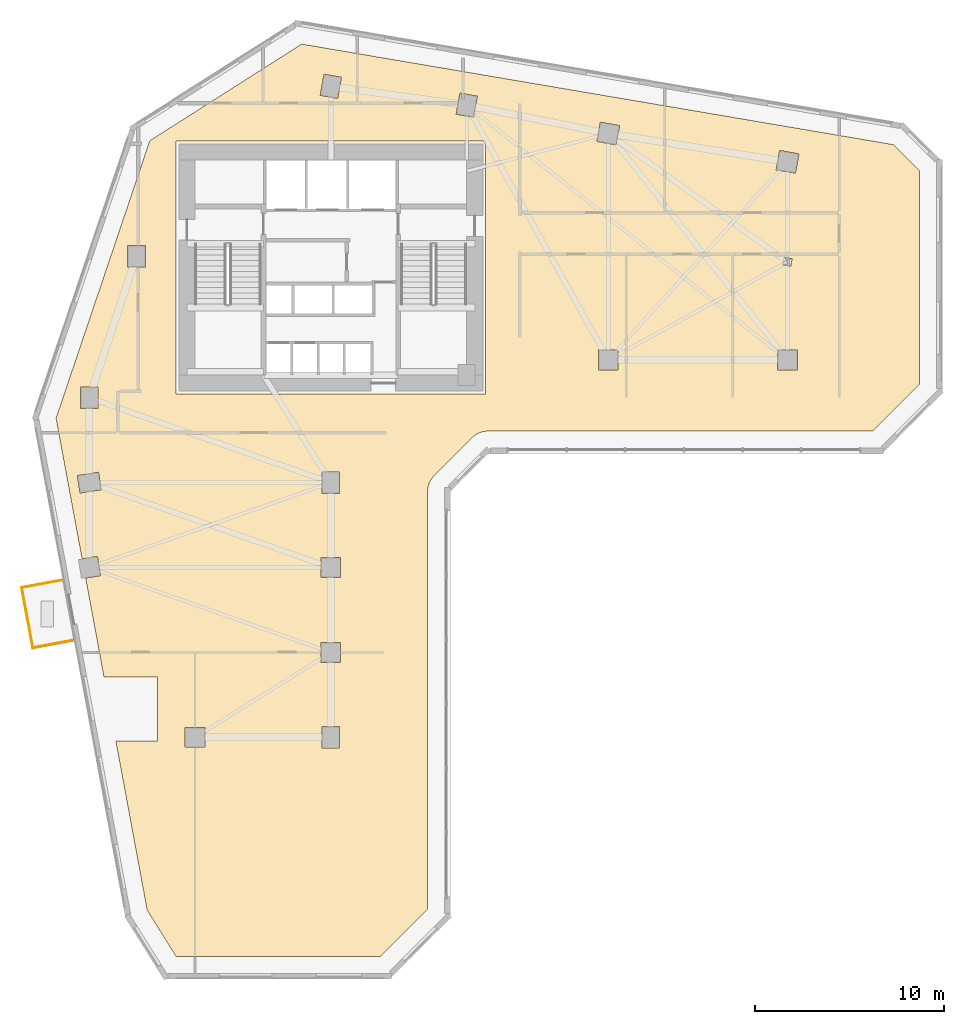
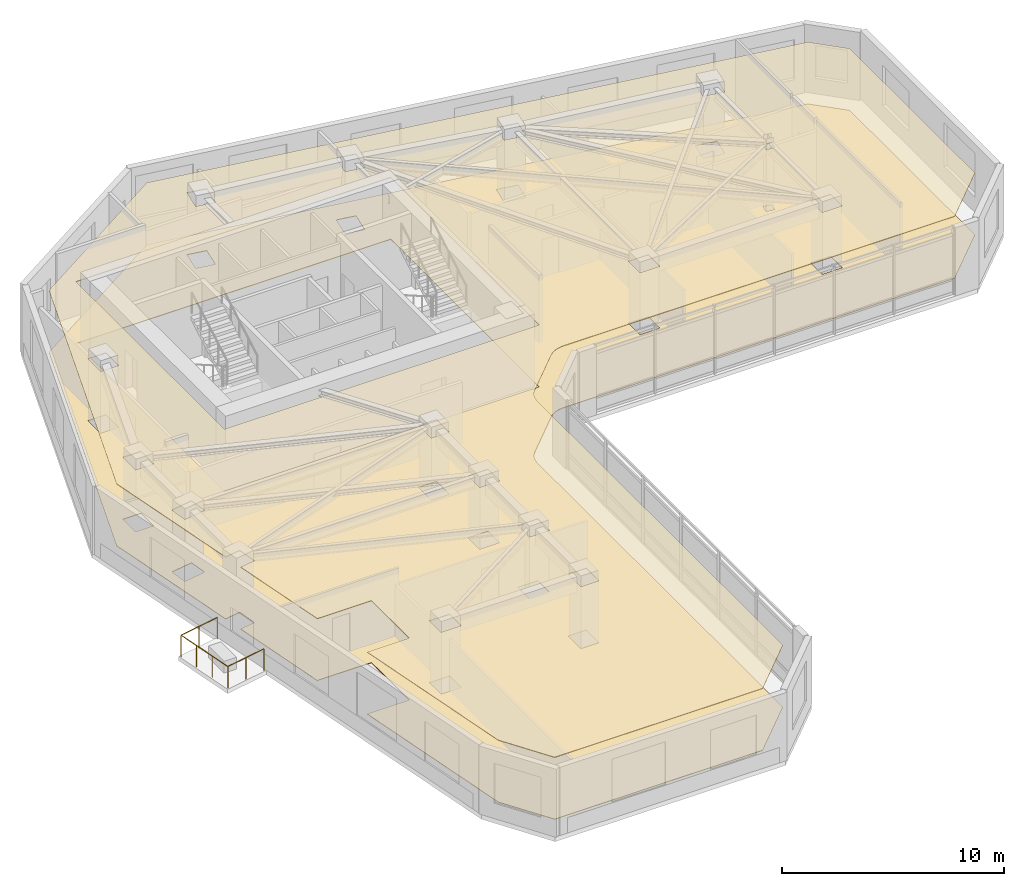
# One storey, part 8 of 9: 3 railings, 2 coverings.
"""IFC4 building model written with IfcOpenShell, lengths in metres."""

import ifcopenshell
import ifcopenshell.guid

model = None  # the IFC model being written
_history = None  # IfcOwnerHistory: only IFC2X3 demands one
_inside = {}  # id of a spatial element -> (the spatial element, [elements in it])
_under = {}  # id of a project, library or spatial element -> (it, [spatial elements below it])
_declared = {}  # id of a project -> (the project, [libraries it declares])
_typed = {}  # id of a type object -> (the type object, [elements of that type])
_made_of = {}  # id of a material, layer set ... -> (it, [elements and type objects made of it])


def new_model(schema):
    """Start an empty IFC model of exactly this schema.

    Asked for "IFC4X3", IfcOpenShell would pick the latest addendum, in which some entities
    have other attributes; the version numbers below select the first issue.
    IFC2X3 requires an IfcOwnerHistory on every rooted entity: one is made here for all.
    """
    global model, _history
    if schema == "IFC4X3":
        model = ifcopenshell.file(schema_version=(4, 3, 0, 0))
    else:
        model = ifcopenshell.file(schema=schema)
    _inside.clear()
    _under.clear()
    _declared.clear()
    _typed.clear()
    _made_of.clear()
    _history = None
    if model.schema == "IFC2X3":
        org = make("IfcOrganization", Name="unknown")
        user = make(
            "IfcPersonAndOrganization",
            ThePerson=make("IfcPerson", FamilyName="unknown"),
            TheOrganization=org,
        )
        app = make(
            "IfcApplication",
            ApplicationDeveloper=org,
            Version="unknown",
            ApplicationFullName="unknown",
            ApplicationIdentifier="unknown",
        )
        _history = make(
            "IfcOwnerHistory",
            OwningUser=user,
            OwningApplication=app,
            ChangeAction="ADDED",
            CreationDate=0,
        )
    return model


def make(cls, **values):
    """One entity of the class cls with the attributes given. An attribute that is None is left unset."""
    return model.create_entity(
        cls, **{name: value for name, value in values.items() if value is not None}
    )


def rooted(cls, **values):
    """An entity with a GlobalId (a new one), such as an element, a storey or a relation."""
    return make(cls, GlobalId=ifcopenshell.guid.new(), OwnerHistory=_history, **values)


def si_unit(unit_type, name, prefix=None):
    """IfcSIUnit, for example si_unit("LENGTHUNIT", "METRE", prefix="MILLI")."""
    return make("IfcSIUnit", UnitType=unit_type, Prefix=prefix, Name=name)


def assignment(units):
    """IfcUnitAssignment: the units of a project."""
    return None if units is None else make("IfcUnitAssignment", Units=units)


def point(xyz):
    """IfcCartesianPoint."""
    return None if xyz is None else make("IfcCartesianPoint", Coordinates=xyz)


def direction(xyz):
    """IfcDirection."""
    return None if xyz is None else make("IfcDirection", DirectionRatios=xyz)


def frame(location, z_axis=None, x_axis=None):
    """IfcAxis2Placement3D, a coordinate frame: its origin and axes. An axis left out is left unset."""
    return make(
        "IfcAxis2Placement3D",
        Location=point(location),
        Axis=direction(z_axis),
        RefDirection=direction(x_axis),
    )


def frame_2d(location, x_axis=None):
    """IfcAxis2Placement2D, a coordinate frame in the plane: its origin and x axis."""
    return make(
        "IfcAxis2Placement2D", Location=point(location), RefDirection=direction(x_axis)
    )


def origin():
    """The frame at (0, 0, 0) with its axes left unset."""
    return frame((0.0, 0.0, 0.0))


def origin_2d():
    """The frame at (0, 0) in the plane with its x axis left unset."""
    return frame_2d((0.0, 0.0))


def place(relative_to, where):
    """IfcLocalPlacement: puts the frame where relative to a parent placement (None: the world)."""
    return make(
        "IfcLocalPlacement", PlacementRelTo=relative_to, RelativePlacement=where
    )


def context(
    kind, dimensions, precision=None, world=None, true_north=None, identifier=None
):
    """IfcGeometricRepresentationContext, for example the 3D "Model" context."""
    return make(
        "IfcGeometricRepresentationContext",
        ContextIdentifier=identifier,
        ContextType=kind,
        CoordinateSpaceDimension=dimensions,
        Precision=precision,
        WorldCoordinateSystem=world,
        TrueNorth=true_north,
    )


def subcontext(parent, identifier, kind, view, scale=None):
    """IfcGeometricRepresentationSubContext, for example "Body" below "Model"."""
    return make(
        "IfcGeometricRepresentationSubContext",
        ContextIdentifier=identifier,
        ContextType=kind,
        ParentContext=parent,
        TargetScale=scale,
        TargetView=view,
    )


def project(units=None, contexts=None):
    """IfcProject with its units and contexts."""
    return rooted(
        "IfcProject",
        Name="project",
        RepresentationContexts=contexts,
        UnitsInContext=assignment(units),
    )


def spatial(cls, under=None, at=None, **own):
    """A site, building, storey or space (cls), placed at a placement, below another one or the project."""
    s = rooted(cls, ObjectPlacement=at, **own)
    if under is not None:
        _under.setdefault(under.id(), (under, []))[1].append(s)
    return s


def polyline(points):
    """IfcPolyline through the points."""
    return make("IfcPolyline", Points=[point(p) for p in points])


def profile(cls, at=None, kind="AREA", **sizes):
    """A parametric profile (cls). Its sizes go by their IFC names, for example OverallWidth=200.0."""
    return make(cls, ProfileType=kind, Position=at, **sizes)


def circle(**sizes):
    """IfcCircleProfileDef."""
    return profile("IfcCircleProfileDef", **sizes)


def outline(outer, holes=None, kind="AREA"):
    """IfcArbitraryClosedProfileDef: a profile drawn as a closed curve; with holes, ...WithVoids."""
    if holes is None:
        return make("IfcArbitraryClosedProfileDef", ProfileType=kind, OuterCurve=outer)
    return make(
        "IfcArbitraryProfileDefWithVoids",
        ProfileType=kind,
        OuterCurve=outer,
        InnerCurves=holes,
    )


def extrude(swept, where, along, depth):
    """IfcExtrudedAreaSolid: the profile swept, set in the frame where, extruded along a direction by depth."""
    return make(
        "IfcExtrudedAreaSolid",
        SweptArea=swept,
        Position=where,
        ExtrudedDirection=direction(along),
        Depth=depth,
    )


def shape(context_of_items, identifier, shape_type, items):
    """IfcShapeRepresentation: the items that make up one representation, for example the "Body"."""
    return make(
        "IfcShapeRepresentation",
        ContextOfItems=context_of_items,
        RepresentationIdentifier=identifier,
        RepresentationType=shape_type,
        Items=items,
    )


def material(Name=None, Category=None):
    """IfcMaterial."""
    return make("IfcMaterial", Name=Name, Category=Category)


def layer(
    of_material, thickness, ventilated=None, Name=None, Category=None, Priority=None
):
    """IfcMaterialLayer: one layer of a wall or slab, of a material (None: an air gap)."""
    return make(
        "IfcMaterialLayer",
        Material=of_material,
        LayerThickness=thickness,
        IsVentilated=ventilated,
        Name=Name,
        Category=Category,
        Priority=Priority,
    )


def layer_set(layers, Name=None):
    """IfcMaterialLayerSet."""
    return make("IfcMaterialLayerSet", MaterialLayers=layers, LayerSetName=Name)


def made_of(thing, what):
    """Note that an element or type object is made of a material, layer set ...; save() writes the relation."""
    if what is not None:
        _made_of.setdefault(what.id(), (what, []))[1].append(thing)
    return thing


def type_object(cls, material=None, **own):
    """A type object (cls), such as IfcWallType, which elements share."""
    return made_of(rooted(cls, **own), material)


def element(
    cls,
    number,
    at=None,
    inside=None,
    cuts=None,
    type_object=None,
    material=None,
    context=None,
    identifier="Body",
    shape_type=None,
    held_by="IfcProductDefinitionShape",
    body=None,
    shapes=None,
    **own,
):
    """One element of the class cls, such as IfcWall. Its Tag is "e" and its number.

    at: its placement. inside: the storey or other place that contains it. cuts: it is an
    opening in that element (IfcRelVoidsElement). A single representation is given by context,
    identifier, shape_type and body (its items); several are given by shapes. held_by: the class
    of the entity that holds the representations. save() writes the other relations.
    """
    e = rooted(cls, Tag="e%d" % number, ObjectPlacement=at, **own)
    if body is not None:
        shapes = [shape(context, identifier, shape_type, body)]
    if shapes is not None:
        e.Representation = make(held_by, Representations=shapes)
    if inside is not None:
        _inside.setdefault(inside.id(), (inside, []))[1].append(e)
    if cuts is not None:
        rooted(
            "IfcRelVoidsElement", RelatingBuildingElement=cuts, RelatedOpeningElement=e
        )
    if type_object is not None:
        _typed.setdefault(type_object.id(), (type_object, []))[1].append(e)
    return made_of(e, material)


def aggregate(whole, parts):
    """IfcRelAggregates: a whole, such as a stair, and the parts it consists of."""
    return rooted("IfcRelAggregates", RelatingObject=whole, RelatedObjects=parts)


def save(model, path):
    """Write the relations noted so far, then the file.

    IfcRelAggregates (storeys below a building ...), IfcRelContainedInSpatialStructure (elements
    in a storey), IfcRelDefinesByType, IfcRelAssociatesMaterial and IfcRelDeclares: one each for
    every whole, place, type object, material and project.
    """
    for whole, parts in _under.values():
        aggregate(whole, parts)
    for where, things in _inside.values():
        rooted(
            "IfcRelContainedInSpatialStructure",
            RelatedElements=things,
            RelatingStructure=where,
        )
    for kind, things in _typed.values():
        rooted("IfcRelDefinesByType", RelatedObjects=things, RelatingType=kind)
    for what, things in _made_of.values():
        rooted("IfcRelAssociatesMaterial", RelatedObjects=things, RelatingMaterial=what)
    for by, libraries in _declared.values():
        rooted("IfcRelDeclares", RelatingContext=by, RelatedDefinitions=libraries)
    model.write(path)


model = new_model("IFC4")

# Units and contexts
model_context = context("Model", 3, precision=1e-05, world=origin(), true_north=direction((0.0, 1.0)))
body_context = subcontext(model_context, "Body", "Model", "MODEL_VIEW")
ifc_project = project(units=[si_unit("LENGTHUNIT", "METRE"), si_unit("AREAUNIT", "SQUARE_METRE"), si_unit("VOLUMEUNIT", "CUBIC_METRE"), si_unit("PLANEANGLEUNIT", "RADIAN"), si_unit("MASSUNIT", "GRAM", prefix="KILO")], contexts=[model_context])

# Site, building, storey
site_placement = place(None, origin())
site = spatial("IfcSite", under=ifc_project, at=site_placement, CompositionType="ELEMENT")
building_placement = place(site_placement, origin())
building = spatial("IfcBuilding", under=site, at=building_placement, Name="Calvemar Wedge Station Tower", CompositionType="ELEMENT")
storey_placement = place(building_placement, frame((0.0, 0.0, 67.0)))
storey = spatial("IfcBuildingStorey", under=building, at=storey_placement, Name="L16", CompositionType="ELEMENT", Elevation=67.0)

# Coverings
ifc_material_1 = material(Name="Moisture-resistant gypsum ceiling")
ifc_layer_1 = layer(ifc_material_1, 0.0400390625)
ifc_layer_set_1 = layer_set([ifc_layer_1], Name="Moisture-resistant gypsum ceiling")
covering_type_1 = type_object("IfcCoveringType", Name="COV-CEIL-GYPSUM", PredefinedType="CEILING", material=ifc_layer_set_1)
covering_1_placement = place(storey_placement, frame((0.0, 0.0, 3.39990234375)))
element("IfcCovering", 1, at=covering_1_placement, inside=storey, type_object=covering_type_1, Name="Storey L16 Acoustic Suspended Ceiling", PredefinedType="CEILING", context=body_context, shape_type="SweptSolid", body=[
    extrude(outline(polyline([(29.279541015625, 28.87646484375), (31.279541015625, 30.87646484375), (31.36669921875, 30.95556640625), (31.461181640625, 31.02587890625), (31.562255859375, 31.086181640625), (31.668701171875, 31.13671875), (31.77978515625, 31.17626953125), (31.893798828125, 31.204833984375), (32.010498046875, 31.22216796875), (32.1279296875, 31.22802734375), (52.5029296875, 31.22802734375), (55.0, 33.72509765625), (55.0, 45.031005859375), (53.621826171875, 46.408935546875), (22.25439453125, 51.739501953125), (14.201416015625, 46.614990234375), (9.23681640625, 31.911865234375), (10.6162109375, 24.465087890625), (11.43115234375, 24.595703125), (11.595703125, 23.56884765625), (10.805908203125, 23.4423828125), (11.777099609375, 18.199951171875), (14.60009765625, 18.199951171875), (14.60009765625, 14.800048828125), (12.406982421875, 14.800048828125), (14.06640625, 5.8427734375), (15.593017578125, 3.39990234375), (26.430908203125, 3.39990234375), (28.927978515625, 5.897216796875), (28.927978515625, 28.028076171875), (28.933837890625, 28.1455078125), (28.951171875, 28.26220703125), (28.979736328125, 28.376220703125), (29.019287109375, 28.4873046875), (29.069580078125, 28.59375), (29.130126953125, 28.694580078125), (29.200439453125, 28.789306640625), (29.279541015625, 28.87646484375)]), holes=[polyline([(15.60009765625, 46.60009765625), (32.0, 46.60009765625), (32.0, 33.199951171875), (15.60009765625, 33.199951171875), (15.60009765625, 46.60009765625)]), polyline([(10.530029296875, 32.429931640625), (10.530029296875, 33.570068359375), (11.469970703125, 33.570068359375), (11.469970703125, 32.429931640625), (10.530029296875, 32.429931640625)]), polyline([(13.030029296875, 41.070068359375), (13.969970703125, 41.070068359375), (13.969970703125, 39.929931640625), (13.030029296875, 39.929931640625), (13.030029296875, 41.070068359375)]), polyline([(24.363525390625, 49.977783203125), (24.16162109375, 48.855712890625), (23.236572265625, 49.022216796875), (23.4384765625, 50.144287109375), (24.363525390625, 49.977783203125)]), polyline([(31.361572265625, 47.855712890625), (30.4365234375, 48.022216796875), (30.638427734375, 49.144287109375), (31.5634765625, 48.977783203125), (31.361572265625, 47.855712890625)]), polyline([(37.89599609375, 46.580322265625), (38.080322265625, 47.60400390625), (39.10400390625, 47.419677734375), (38.919677734375, 46.39599609375), (37.89599609375, 46.580322265625)]), polyline([(47.580322265625, 46.10400390625), (48.60400390625, 45.919677734375), (48.419677734375, 44.89599609375), (47.39599609375, 45.080322265625), (47.580322265625, 46.10400390625)]), polyline([(39.02001953125, 35.52001953125), (39.02001953125, 34.47998046875), (37.97998046875, 34.47998046875), (37.97998046875, 35.52001953125), (39.02001953125, 35.52001953125)]), polyline([(48.52001953125, 34.47998046875), (47.47998046875, 34.47998046875), (47.47998046875, 35.52001953125), (48.52001953125, 35.52001953125), (48.52001953125, 34.47998046875)]), polyline([(47.759765625, 40.033935546875), (47.832763671875, 40.439453125), (48.240234375, 40.3662109375), (48.167236328125, 39.960693359375), (47.759765625, 40.033935546875)]), polyline([(11.488525390625, 29.05419921875), (11.63720703125, 28.126220703125), (10.511474609375, 27.94580078125), (10.36279296875, 28.873779296875), (11.488525390625, 29.05419921875)]), polyline([(24.27001953125, 27.929931640625), (23.330078125, 27.929931640625), (23.330078125, 29.070068359375), (24.27001953125, 29.070068359375), (24.27001953125, 27.929931640625)]), polyline([(23.280029296875, 23.47998046875), (23.280029296875, 24.52001953125), (24.320068359375, 24.52001953125), (24.320068359375, 23.47998046875), (23.280029296875, 23.47998046875)]), polyline([(23.280029296875, 20.02001953125), (24.320068359375, 20.02001953125), (24.320068359375, 18.97998046875), (23.280029296875, 18.97998046875), (23.280029296875, 20.02001953125)]), polyline([(24.27001953125, 15.570068359375), (24.27001953125, 14.429931640625), (23.330078125, 14.429931640625), (23.330078125, 15.570068359375), (24.27001953125, 15.570068359375)]), polyline([(17.1201171875, 14.47998046875), (16.080078125, 14.47998046875), (16.080078125, 15.52001953125), (17.1201171875, 15.52001953125), (17.1201171875, 14.47998046875)])]), origin(), (0.0, 0.0, 1.0), 0.0400390625),
])
ifc_material_2 = material(Name="Commercial raised access floor")
ifc_layer_2 = layer(ifc_material_2, 0.030029296875)
ifc_layer_set_2 = layer_set([ifc_layer_2], Name="Commercial raised access floor")
covering_type_2 = type_object("IfcCoveringType", Name="COV-FLR-RAISED", PredefinedType="FLOORING", material=ifc_layer_set_2)
covering_2_placement = place(storey_placement, origin())
element("IfcCovering", 2, at=covering_2_placement, inside=storey, type_object=covering_type_2, Name="Storey L16 Architectural Floor Finish", PredefinedType="FLOORING", context=body_context, shape_type="SweptSolid", body=[
    extrude(outline(polyline([(29.279541015625, 28.87646484375), (31.279541015625, 30.87646484375), (31.36669921875, 30.95556640625), (31.461181640625, 31.02587890625), (31.562255859375, 31.086181640625), (31.668701171875, 31.13671875), (31.77978515625, 31.17626953125), (31.893798828125, 31.204833984375), (32.010498046875, 31.22216796875), (32.1279296875, 31.22802734375), (52.5029296875, 31.22802734375), (55.0, 33.72509765625), (55.0, 45.031005859375), (53.621826171875, 46.408935546875), (22.25439453125, 51.739501953125), (14.201416015625, 46.614990234375), (9.23681640625, 31.911865234375), (10.6162109375, 24.465087890625), (11.43115234375, 24.595703125), (11.595703125, 23.56884765625), (10.805908203125, 23.4423828125), (11.777099609375, 18.199951171875), (14.60009765625, 18.199951171875), (14.60009765625, 14.800048828125), (12.406982421875, 14.800048828125), (14.06640625, 5.8427734375), (15.593017578125, 3.39990234375), (26.430908203125, 3.39990234375), (28.927978515625, 5.897216796875), (28.927978515625, 28.028076171875), (28.933837890625, 28.1455078125), (28.951171875, 28.26220703125), (28.979736328125, 28.376220703125), (29.019287109375, 28.4873046875), (29.069580078125, 28.59375), (29.130126953125, 28.694580078125), (29.200439453125, 28.789306640625), (29.279541015625, 28.87646484375)]), holes=[polyline([(15.60009765625, 46.60009765625), (32.0, 46.60009765625), (32.0, 33.199951171875), (15.60009765625, 33.199951171875), (15.60009765625, 46.60009765625)]), polyline([(10.530029296875, 32.429931640625), (10.530029296875, 33.570068359375), (11.469970703125, 33.570068359375), (11.469970703125, 32.429931640625), (10.530029296875, 32.429931640625)]), polyline([(13.030029296875, 41.070068359375), (13.969970703125, 41.070068359375), (13.969970703125, 39.929931640625), (13.030029296875, 39.929931640625), (13.030029296875, 41.070068359375)]), polyline([(24.363525390625, 49.977783203125), (24.16162109375, 48.855712890625), (23.236572265625, 49.022216796875), (23.4384765625, 50.144287109375), (24.363525390625, 49.977783203125)]), polyline([(31.361572265625, 47.855712890625), (30.4365234375, 48.022216796875), (30.638427734375, 49.144287109375), (31.5634765625, 48.977783203125), (31.361572265625, 47.855712890625)]), polyline([(37.89599609375, 46.580322265625), (38.080322265625, 47.60400390625), (39.10400390625, 47.419677734375), (38.919677734375, 46.39599609375), (37.89599609375, 46.580322265625)]), polyline([(47.580322265625, 46.10400390625), (48.60400390625, 45.919677734375), (48.419677734375, 44.89599609375), (47.39599609375, 45.080322265625), (47.580322265625, 46.10400390625)]), polyline([(39.02001953125, 35.52001953125), (39.02001953125, 34.47998046875), (37.97998046875, 34.47998046875), (37.97998046875, 35.52001953125), (39.02001953125, 35.52001953125)]), polyline([(48.52001953125, 34.47998046875), (47.47998046875, 34.47998046875), (47.47998046875, 35.52001953125), (48.52001953125, 35.52001953125), (48.52001953125, 34.47998046875)]), polyline([(47.759765625, 40.033935546875), (47.832763671875, 40.439453125), (48.240234375, 40.3662109375), (48.167236328125, 39.960693359375), (47.759765625, 40.033935546875)]), polyline([(11.488525390625, 29.05419921875), (11.63720703125, 28.126220703125), (10.511474609375, 27.94580078125), (10.36279296875, 28.873779296875), (11.488525390625, 29.05419921875)]), polyline([(24.27001953125, 27.929931640625), (23.330078125, 27.929931640625), (23.330078125, 29.070068359375), (24.27001953125, 29.070068359375), (24.27001953125, 27.929931640625)]), polyline([(23.280029296875, 23.47998046875), (23.280029296875, 24.52001953125), (24.320068359375, 24.52001953125), (24.320068359375, 23.47998046875), (23.280029296875, 23.47998046875)]), polyline([(23.280029296875, 20.02001953125), (24.320068359375, 20.02001953125), (24.320068359375, 18.97998046875), (23.280029296875, 18.97998046875), (23.280029296875, 20.02001953125)]), polyline([(24.27001953125, 15.570068359375), (24.27001953125, 14.429931640625), (23.330078125, 14.429931640625), (23.330078125, 15.570068359375), (24.27001953125, 15.570068359375)]), polyline([(17.1201171875, 14.47998046875), (16.080078125, 14.47998046875), (16.080078125, 15.52001953125), (17.1201171875, 15.52001953125), (17.1201171875, 14.47998046875)])]), origin(), (0.0, 0.0, 1.0), 0.030029296875),
])

# Railings
ifc_material_3 = material(Name="Stainless steel AISI 316L", Category="steel")
railing_type = type_object("IfcRailingType", Name="GRD-TERR-1200", PredefinedType="GUARDRAIL", material=ifc_material_3)
railing_1_placement = place(storey_placement, frame((10.11572265625, 20.14208984375, 0.0)))
element("IfcRailing", 3, at=railing_1_placement, inside=storey, type_object=railing_type, Name="Storey L16 Spiral Terrace Guard 2", PredefinedType="GUARDRAIL", context=body_context, shape_type="SweptSolid", body=[
    extrude(circle(Radius=0.02392578125, at=origin_2d()), frame((0.0, 0.0, 1.17578125), z_axis=(-0.983271414626, -0.182146438831, 0.0), x_axis=(0.182146438831, -0.983271414626, 0.0)), (0.0, 0.0, 1.0), 2.140625),
    extrude(circle(Radius=0.02099609375, at=origin_2d()), origin(), (0.0, 0.0, 1.0), 1.15185546875),
    extrude(circle(Radius=0.02099609375, at=origin_2d()), frame((-1.05224609375, -0.19482421875, 0.0)), (0.0, 0.0, 1.0), 1.15185546875),
    extrude(circle(Radius=0.02099609375, at=origin_2d()), frame((-2.104736328125, -0.389892578125, 0.0)), (0.0, 0.0, 1.0), 1.15185546875),
])
railing_2_placement = place(storey_placement, frame((8.010986328125, 19.752197265625, 0.0)))
element("IfcRailing", 4, at=railing_2_placement, inside=storey, type_object=railing_type, Name="Storey L16 Spiral Terrace Guard 3", PredefinedType="GUARDRAIL", context=body_context, shape_type="SweptSolid", body=[
    extrude(circle(Radius=0.02392578125, at=origin_2d()), frame((0.0, 0.0, 1.17578125), z_axis=(-0.182291560519, 0.983244520434, 0.0), x_axis=(-0.983244520434, -0.182291560519, 0.0)), (0.0, 0.0, 1.0), 3.240966796875),
    extrude(circle(Radius=0.02099609375, at=origin_2d()), origin(), (0.0, 0.0, 1.0), 1.15185546875),
    extrude(circle(Radius=0.02099609375, at=origin_2d()), frame((-0.197021484375, 1.062255859375, 0.0)), (0.0, 0.0, 1.0), 1.15185546875),
    extrude(circle(Radius=0.02099609375, at=origin_2d()), frame((-0.393798828125, 2.12451171875, 0.0)), (0.0, 0.0, 1.0), 1.15185546875),
    extrude(circle(Radius=0.02099609375, at=origin_2d()), frame((-0.5908203125, 3.186767578125, 0.0)), (0.0, 0.0, 1.0), 1.15185546875),
])
railing_3_placement = place(storey_placement, frame((7.420166015625, 22.93896484375, 0.0)))
element("IfcRailing", 5, at=railing_3_placement, inside=storey, type_object=railing_type, Name="Storey L16 Spiral Terrace Guard 4", PredefinedType="GUARDRAIL", context=body_context, shape_type="SweptSolid", body=[
    extrude(circle(Radius=0.02392578125, at=origin_2d()), frame((0.0, 0.0, 1.17578125), z_axis=(0.983271414626, 0.182146438831, 0.0), x_axis=(-0.182146438831, 0.983271414626, 0.0)), (0.0, 0.0, 1.0), 2.140625),
    extrude(circle(Radius=0.02099609375, at=origin_2d()), origin(), (0.0, 0.0, 1.0), 1.15185546875),
    extrude(circle(Radius=0.02099609375, at=origin_2d()), frame((1.05224609375, 0.19482421875, 0.0)), (0.0, 0.0, 1.0), 1.15185546875),
    extrude(circle(Radius=0.02099609375, at=origin_2d()), frame((2.104736328125, 0.389892578125, 0.0)), (0.0, 0.0, 1.0), 1.15185546875),
])

save(model, "model.ifc")
